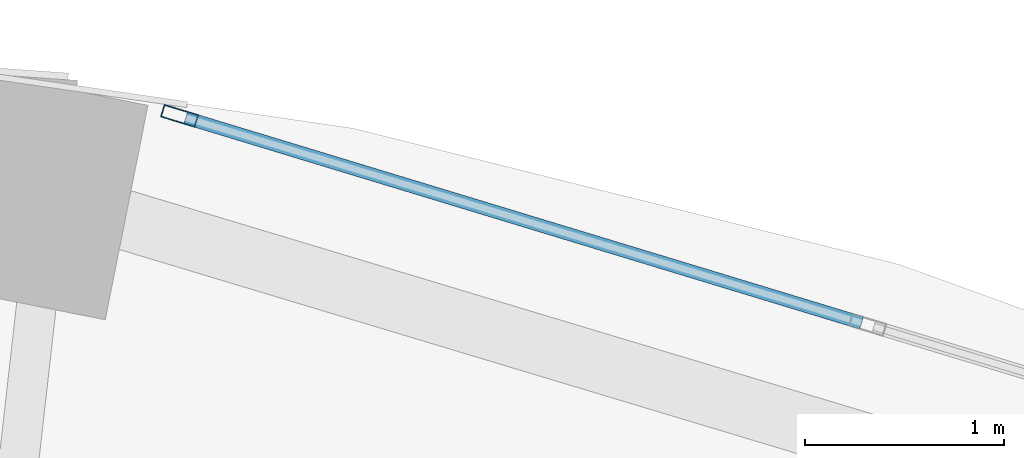
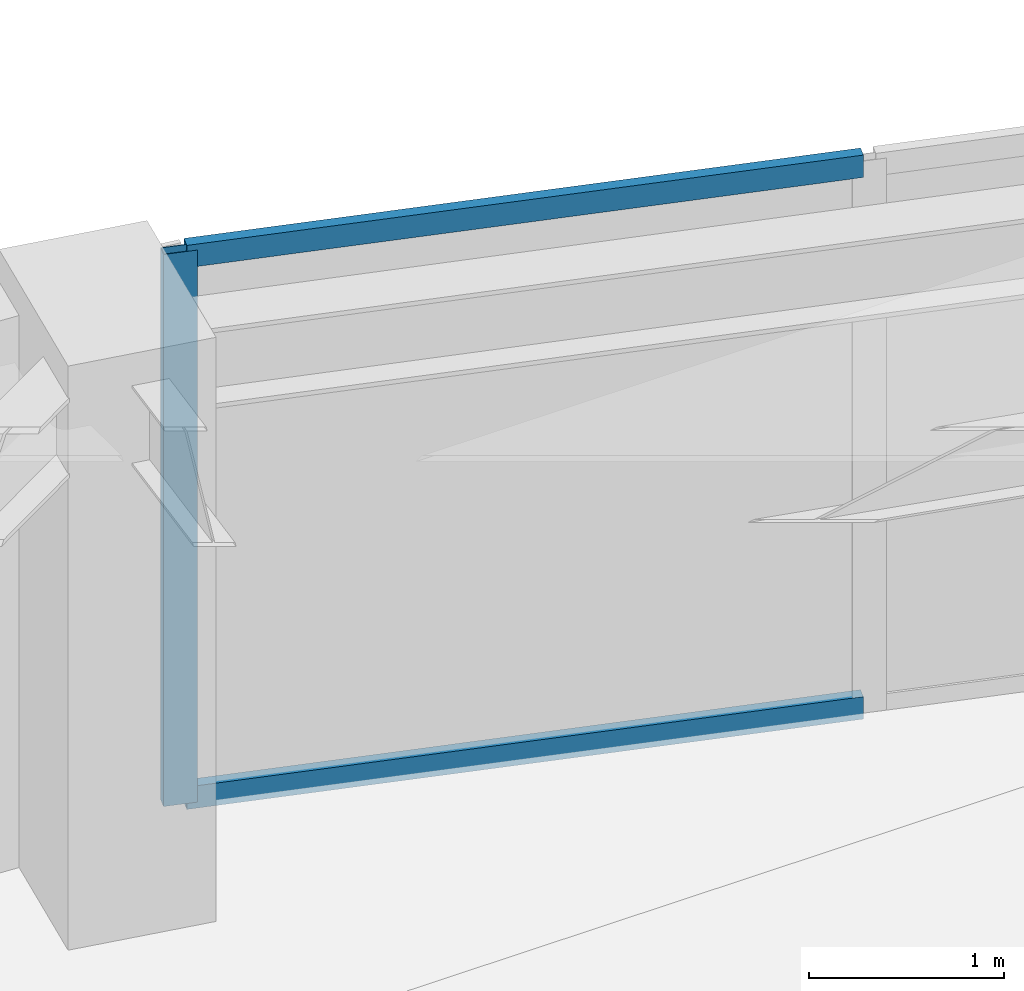
# One storey, part 7 of 12: 3 members, 1 element without a shape of its own.
"""IFC4 building model written with IfcOpenShell, lengths in metres."""

import ifcopenshell
import ifcopenshell.guid

model = None  # the IFC model being written
_history = None  # IfcOwnerHistory: only IFC2X3 demands one
_inside = {}  # id of a spatial element -> (the spatial element, [elements in it])
_under = {}  # id of a project, library or spatial element -> (it, [spatial elements below it])
_declared = {}  # id of a project -> (the project, [libraries it declares])
_typed = {}  # id of a type object -> (the type object, [elements of that type])
_made_of = {}  # id of a material, layer set ... -> (it, [elements and type objects made of it])


def new_model(schema):
    """Start an empty IFC model of exactly this schema.

    Asked for "IFC4X3", IfcOpenShell would pick the latest addendum, in which some entities
    have other attributes; the version numbers below select the first issue.
    IFC2X3 requires an IfcOwnerHistory on every rooted entity: one is made here for all.
    """
    global model, _history
    if schema == "IFC4X3":
        model = ifcopenshell.file(schema_version=(4, 3, 0, 0))
    else:
        model = ifcopenshell.file(schema=schema)
    _inside.clear()
    _under.clear()
    _declared.clear()
    _typed.clear()
    _made_of.clear()
    _history = None
    if model.schema == "IFC2X3":
        org = make("IfcOrganization", Name="unknown")
        user = make(
            "IfcPersonAndOrganization",
            ThePerson=make("IfcPerson", FamilyName="unknown"),
            TheOrganization=org,
        )
        app = make(
            "IfcApplication",
            ApplicationDeveloper=org,
            Version="unknown",
            ApplicationFullName="unknown",
            ApplicationIdentifier="unknown",
        )
        _history = make(
            "IfcOwnerHistory",
            OwningUser=user,
            OwningApplication=app,
            ChangeAction="ADDED",
            CreationDate=0,
        )
    return model


def make(cls, **values):
    """One entity of the class cls with the attributes given. An attribute that is None is left unset."""
    return model.create_entity(
        cls, **{name: value for name, value in values.items() if value is not None}
    )


def rooted(cls, **values):
    """An entity with a GlobalId (a new one), such as an element, a storey or a relation."""
    return make(cls, GlobalId=ifcopenshell.guid.new(), OwnerHistory=_history, **values)


def si_unit(unit_type, name, prefix=None):
    """IfcSIUnit, for example si_unit("LENGTHUNIT", "METRE", prefix="MILLI")."""
    return make("IfcSIUnit", UnitType=unit_type, Prefix=prefix, Name=name)


def assignment(units):
    """IfcUnitAssignment: the units of a project."""
    return None if units is None else make("IfcUnitAssignment", Units=units)


def point(xyz):
    """IfcCartesianPoint."""
    return None if xyz is None else make("IfcCartesianPoint", Coordinates=xyz)


def direction(xyz):
    """IfcDirection."""
    return None if xyz is None else make("IfcDirection", DirectionRatios=xyz)


def frame(location, z_axis=None, x_axis=None):
    """IfcAxis2Placement3D, a coordinate frame: its origin and axes. An axis left out is left unset."""
    return make(
        "IfcAxis2Placement3D",
        Location=point(location),
        Axis=direction(z_axis),
        RefDirection=direction(x_axis),
    )


def frame_2d(location, x_axis=None):
    """IfcAxis2Placement2D, a coordinate frame in the plane: its origin and x axis."""
    return make(
        "IfcAxis2Placement2D", Location=point(location), RefDirection=direction(x_axis)
    )


def origin():
    """The frame at (0, 0, 0) with its axes left unset."""
    return frame((0.0, 0.0, 0.0))


def origin_2d():
    """The frame at (0, 0) in the plane with its x axis left unset."""
    return frame_2d((0.0, 0.0))


def place(relative_to, where):
    """IfcLocalPlacement: puts the frame where relative to a parent placement (None: the world)."""
    return make(
        "IfcLocalPlacement", PlacementRelTo=relative_to, RelativePlacement=where
    )


def context(
    kind, dimensions, precision=None, world=None, true_north=None, identifier=None
):
    """IfcGeometricRepresentationContext, for example the 3D "Model" context."""
    return make(
        "IfcGeometricRepresentationContext",
        ContextIdentifier=identifier,
        ContextType=kind,
        CoordinateSpaceDimension=dimensions,
        Precision=precision,
        WorldCoordinateSystem=world,
        TrueNorth=true_north,
    )


def subcontext(parent, identifier, kind, view, scale=None):
    """IfcGeometricRepresentationSubContext, for example "Body" below "Model"."""
    return make(
        "IfcGeometricRepresentationSubContext",
        ContextIdentifier=identifier,
        ContextType=kind,
        ParentContext=parent,
        TargetScale=scale,
        TargetView=view,
    )


def project(units=None, contexts=None):
    """IfcProject with its units and contexts."""
    return rooted(
        "IfcProject",
        Name="project",
        RepresentationContexts=contexts,
        UnitsInContext=assignment(units),
    )


def spatial(cls, under=None, at=None, **own):
    """A site, building, storey or space (cls), placed at a placement, below another one or the project."""
    s = rooted(cls, ObjectPlacement=at, **own)
    if under is not None:
        _under.setdefault(under.id(), (under, []))[1].append(s)
    return s


def profile(cls, at=None, kind="AREA", **sizes):
    """A parametric profile (cls). Its sizes go by their IFC names, for example OverallWidth=200.0."""
    return make(cls, ProfileType=kind, Position=at, **sizes)


def hollow_rectangle(**sizes):
    """IfcRectangleHollowProfileDef."""
    return profile("IfcRectangleHollowProfileDef", **sizes)


def extrude(swept, where, along, depth):
    """IfcExtrudedAreaSolid: the profile swept, set in the frame where, extruded along a direction by depth."""
    return make(
        "IfcExtrudedAreaSolid",
        SweptArea=swept,
        Position=where,
        ExtrudedDirection=direction(along),
        Depth=depth,
    )


def shape(context_of_items, identifier, shape_type, items):
    """IfcShapeRepresentation: the items that make up one representation, for example the "Body"."""
    return make(
        "IfcShapeRepresentation",
        ContextOfItems=context_of_items,
        RepresentationIdentifier=identifier,
        RepresentationType=shape_type,
        Items=items,
    )


def material(Name=None, Category=None):
    """IfcMaterial."""
    return make("IfcMaterial", Name=Name, Category=Category)


def layer(
    of_material, thickness, ventilated=None, Name=None, Category=None, Priority=None
):
    """IfcMaterialLayer: one layer of a wall or slab, of a material (None: an air gap)."""
    return make(
        "IfcMaterialLayer",
        Material=of_material,
        LayerThickness=thickness,
        IsVentilated=ventilated,
        Name=Name,
        Category=Category,
        Priority=Priority,
    )


def layer_set(layers, Name=None):
    """IfcMaterialLayerSet."""
    return make("IfcMaterialLayerSet", MaterialLayers=layers, LayerSetName=Name)


def material_profile(
    of_material, cross_section, Name=None, Category=None, Priority=None
):
    """IfcMaterialProfile: a cross section and its material."""
    return make(
        "IfcMaterialProfile",
        Name=Name,
        Material=of_material,
        Profile=cross_section,
        Priority=Priority,
        Category=Category,
    )


def profile_set(profiles, Name=None, composite=None):
    """IfcMaterialProfileSet."""
    return make(
        "IfcMaterialProfileSet",
        Name=Name,
        MaterialProfiles=profiles,
        CompositeProfile=composite,
    )


def made_of(thing, what):
    """Note that an element or type object is made of a material, layer set ...; save() writes the relation."""
    if what is not None:
        _made_of.setdefault(what.id(), (what, []))[1].append(thing)
    return thing


def type_object(cls, material=None, **own):
    """A type object (cls), such as IfcWallType, which elements share."""
    return made_of(rooted(cls, **own), material)


def element(
    cls,
    number,
    at=None,
    inside=None,
    cuts=None,
    type_object=None,
    material=None,
    context=None,
    identifier="Body",
    shape_type=None,
    held_by="IfcProductDefinitionShape",
    body=None,
    shapes=None,
    **own,
):
    """One element of the class cls, such as IfcWall. Its Tag is "e" and its number.

    at: its placement. inside: the storey or other place that contains it. cuts: it is an
    opening in that element (IfcRelVoidsElement). A single representation is given by context,
    identifier, shape_type and body (its items); several are given by shapes. held_by: the class
    of the entity that holds the representations. save() writes the other relations.
    """
    e = rooted(cls, Tag="e%d" % number, ObjectPlacement=at, **own)
    if body is not None:
        shapes = [shape(context, identifier, shape_type, body)]
    if shapes is not None:
        e.Representation = make(held_by, Representations=shapes)
    if inside is not None:
        _inside.setdefault(inside.id(), (inside, []))[1].append(e)
    if cuts is not None:
        rooted(
            "IfcRelVoidsElement", RelatingBuildingElement=cuts, RelatedOpeningElement=e
        )
    if type_object is not None:
        _typed.setdefault(type_object.id(), (type_object, []))[1].append(e)
    return made_of(e, material)


def aggregate(whole, parts):
    """IfcRelAggregates: a whole, such as a stair, and the parts it consists of."""
    return rooted("IfcRelAggregates", RelatingObject=whole, RelatedObjects=parts)


def save(model, path):
    """Write the relations noted so far, then the file.

    IfcRelAggregates (storeys below a building ...), IfcRelContainedInSpatialStructure (elements
    in a storey), IfcRelDefinesByType, IfcRelAssociatesMaterial and IfcRelDeclares: one each for
    every whole, place, type object, material and project.
    """
    for whole, parts in _under.values():
        aggregate(whole, parts)
    for where, things in _inside.values():
        rooted(
            "IfcRelContainedInSpatialStructure",
            RelatedElements=things,
            RelatingStructure=where,
        )
    for kind, things in _typed.values():
        rooted("IfcRelDefinesByType", RelatedObjects=things, RelatingType=kind)
    for what, things in _made_of.values():
        rooted("IfcRelAssociatesMaterial", RelatedObjects=things, RelatingMaterial=what)
    for by, libraries in _declared.values():
        rooted("IfcRelDeclares", RelatingContext=by, RelatedDefinitions=libraries)
    model.write(path)


model = new_model("IFC4")

# Units and contexts
model_context = context("Model", 3, precision=1e-05, world=origin(), true_north=direction((0.0, 1.0)))
body_context = subcontext(model_context, "Body", "Model", "MODEL_VIEW")
ifc_project = project(units=[si_unit("LENGTHUNIT", "METRE"), si_unit("AREAUNIT", "SQUARE_METRE"), si_unit("VOLUMEUNIT", "CUBIC_METRE"), si_unit("PLANEANGLEUNIT", "RADIAN"), si_unit("MASSUNIT", "GRAM", prefix="KILO")], contexts=[model_context])

# Site, building, storey
site_placement = place(None, origin())
site = spatial("IfcSite", under=ifc_project, at=site_placement, CompositionType="ELEMENT")
building_placement = place(site_placement, origin())
building = spatial("IfcBuilding", under=site, at=building_placement, Name="Lazwardi Medical Tower", CompositionType="ELEMENT")
storey_placement = place(building_placement, frame((0.0, 0.0, 291.50390625)))
storey = spatial("IfcBuildingStorey", under=building, at=storey_placement, Name="L76", CompositionType="ELEMENT", Elevation=291.50390625)

# Curtain wall, members
ifc_material_1 = material(Name="Anodised bronze aluminium and solar control glazing", Category="aluminium")
ifc_layer = layer(ifc_material_1, 0.18994140625)
ifc_layer_set = layer_set([ifc_layer], Name="Anodised bronze aluminium and solar control glazing")
curtain_wall_type = type_object("IfcCurtainWallType", Name="CW-SYS-04", PredefinedType="NOTDEFINED", material=ifc_layer_set)
curtain_wall_placement = place(storey_placement, origin())
curtain_wall = element("IfcCurtainWall", 1, at=curtain_wall_placement, inside=storey, type_object=curtain_wall_type, Name="L76 Unitised bronze curtain wall CW-04", PredefinedType="NOTDEFINED")
ifc_material_2 = material(Name="Anodised bronze aluminium", Category="aluminium")
ifc_material_profile_1 = material_profile(ifc_material_2, hollow_rectangle(XDim=0.06494140625, YDim=0.179931640625, WallThickness=0.00390625, at=origin_2d()), Name="ALU-MULLION 180x65x4")
ifc_profile_set_1 = profile_set([ifc_material_profile_1], Name="Anodised bronze aluminium")
member_type_1 = type_object("IfcMemberType", Name="CW-MUL-03", PredefinedType="MULLION", material=ifc_profile_set_1)
member_1_placement = place(storey_placement, frame((40.873046875, 45.007080078125, 0.0), z_axis=(0.0, 0.0, 1.0), x_axis=(-0.290581889515, -0.956850126972, 0.0)))
member_1 = element("IfcMember", 2, at=member_1_placement, type_object=member_type_1, Name="CW-04 mullion 3", PredefinedType="MULLION", context=body_context, shape_type="SweptSolid", body=[
    extrude(hollow_rectangle(XDim=0.06494140625, YDim=0.179931640625, WallThickness=0.00390625, at=origin_2d()), origin(), (0.0, 0.0, 1.0), 3.447998046875),
])
ifc_material_profile_2 = material_profile(ifc_material_2, hollow_rectangle(XDim=0.06494140625, YDim=0.139892578125, WallThickness=0.00341796875, at=origin_2d()), Name="ALU-TRANSOM 140x65x3.5")
ifc_profile_set_2 = profile_set([ifc_material_profile_2], Name="Anodised bronze aluminium")
member_type_2 = type_object("IfcMemberType", Name="CW-TRN-03", PredefinedType="USERDEFINED", material=ifc_profile_set_2)
member_2_placement = place(storey_placement, frame((44.305419921875, 43.96484375, 0.03271484375), z_axis=(-0.956862505902, 0.290541124109, 0.0), x_axis=(-0.290541124109, -0.956862505902, 0.0)))
member_2 = element("IfcMember", 3, at=member_2_placement, type_object=member_type_2, Name="CW-04 transom 2.1", ObjectType="TRANSOM", PredefinedType="USERDEFINED", context=body_context, shape_type="SweptSolid", body=[
    extrude(hollow_rectangle(XDim=0.06494140625, YDim=0.139892578125, WallThickness=0.00341796875, at=origin_2d()), origin(), (0.0, 0.0, 1.0), 3.554443359375),
])
member_3_placement = place(storey_placement, frame((44.305419921875, 43.96484375, 3.41552734375), z_axis=(-0.956862505902, 0.290541124109, 0.0), x_axis=(-0.290541124109, -0.956862505902, 0.0)))
member_3 = element("IfcMember", 4, at=member_3_placement, type_object=member_type_2, Name="CW-04 transom 2.2", ObjectType="TRANSOM", PredefinedType="USERDEFINED", context=body_context, shape_type="SweptSolid", body=[
    extrude(hollow_rectangle(XDim=0.06494140625, YDim=0.139892578125, WallThickness=0.00341796875, at=origin_2d()), origin(), (0.0, 0.0, 1.0), 3.554443359375),
])
aggregate(curtain_wall, [member_1, member_2, member_3])

save(model, "model.ifc")
